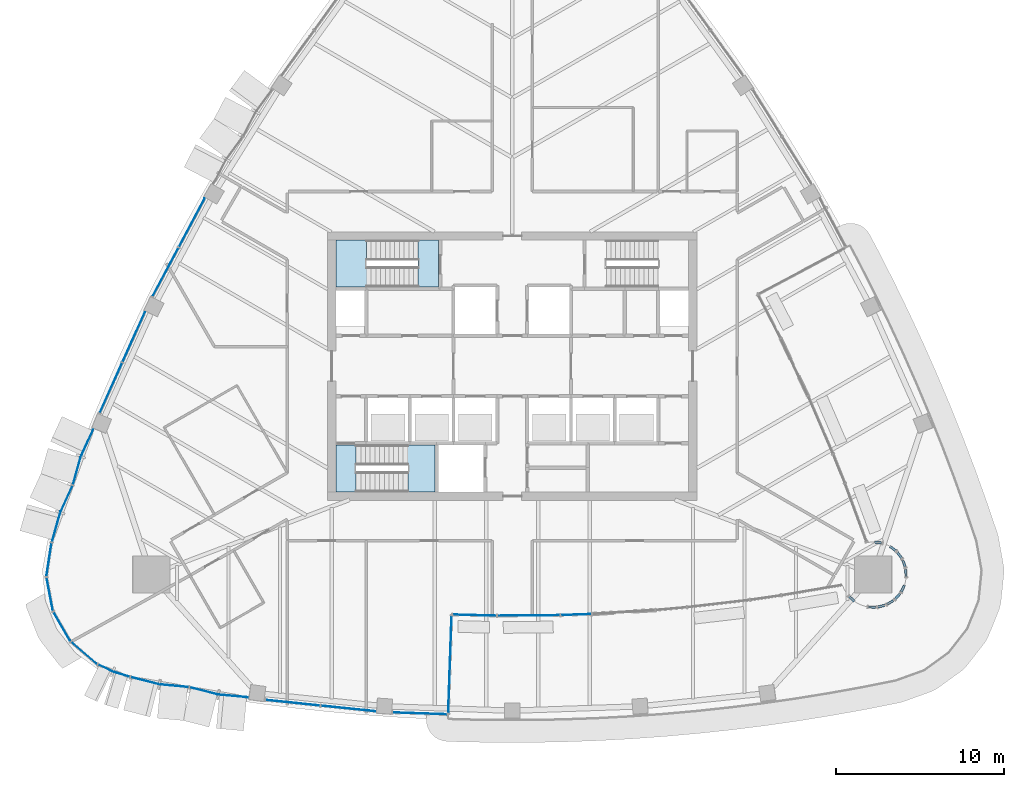
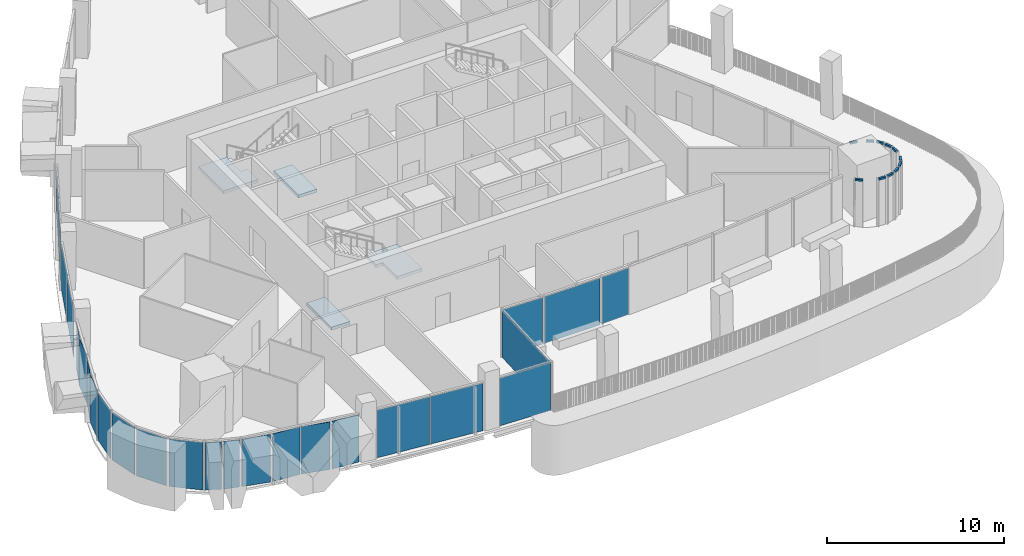
# One storey, part 9 of 21: 25 plates, 11 members, 4 slabs, 28 elements without a shape of their own.
"""IFC4 building model written with IfcOpenShell, lengths in metres."""

from ifc_helpers import new_model, si_unit, direction, frame, origin, origin_2d, place, context, subcontext, project, spatial, polyline, rectangle, outline, extrude, material, layer, layer_set, material_profile, profile_set, type_object, element, aggregate, save


model = new_model("IFC4")

# Units and contexts
model_context = context("Model", 3, precision=1e-05, world=origin(), true_north=direction((0.0, 1.0)))
body_context = subcontext(model_context, "Body", "Model", "MODEL_VIEW")
ifc_project = project(units=[si_unit("LENGTHUNIT", "METRE"), si_unit("AREAUNIT", "SQUARE_METRE"), si_unit("VOLUMEUNIT", "CUBIC_METRE"), si_unit("PLANEANGLEUNIT", "RADIAN"), si_unit("MASSUNIT", "GRAM", prefix="KILO")], contexts=[model_context])

# Site, building, storey
site_placement = place(None, origin())
site = spatial("IfcSite", under=ifc_project, at=site_placement, CompositionType="ELEMENT")
building_placement = place(site_placement, origin())
building = spatial("IfcBuilding", under=site, at=building_placement, Name="Sierra Prisma Convention Tower", CompositionType="ELEMENT")
storey_placement = place(building_placement, frame((0.0, 0.0, 259.0)))
storey = spatial("IfcBuildingStorey", under=building, at=storey_placement, Name="L58", CompositionType="ELEMENT", Elevation=259.0)

# Curtain wall, member
ifc_material_1 = material(Name="Aluminium and glass curtain wall", Category="aluminium")
ifc_layer_1 = layer(ifc_material_1, 0.179931640625)
ifc_layer_set_1 = layer_set([ifc_layer_1], Name="CW-6 Terrace recess curtain wall")
curtain_wall_type_1 = type_object("IfcCurtainWallType", Name="CW-6 Terrace recess curtain wall", PredefinedType="NOTDEFINED", material=ifc_layer_set_1)
curtain_wall_1_placement = place(storey_placement, origin())
curtain_wall_1 = element("IfcCurtainWall", 1, at=curtain_wall_1_placement, inside=storey, type_object=curtain_wall_type_1, Name="CW-6 R11 L58", PredefinedType="NOTDEFINED")
ifc_material_2 = material(Name="Aluminium 6063-T6 bronze anodised", Category="aluminium")
ifc_material_profile = material_profile(ifc_material_2, rectangle(XDim=0.139892578125, YDim=0.1201171875, at=origin_2d()), Name="ALU TRANSOM 120x140")
ifc_profile_set = profile_set([ifc_material_profile], Name="Aluminium 6063-T6 bronze anodised")
member_type = type_object("IfcMemberType", Name="CW transom bronze", PredefinedType="USERDEFINED", material=ifc_profile_set)
member_1_placement = place(storey_placement, frame((20.052001953125, -13.70751953125, 3.280029296875), z_axis=(0.740855729904, -0.671664192487, 0.0), x_axis=(0.671664192487, 0.740855729904, 0.0)))
member_1 = element("IfcMember", 2, at=member_1_placement, type_object=member_type, Name="CW-6 transom R11.1", ObjectType="TRANSOM", PredefinedType="USERDEFINED", context=body_context, shape_type="SweptSolid", body=[
    extrude(rectangle(XDim=0.139892578125, YDim=0.1201171875, at=origin_2d()), origin(), (0.0, 0.0, 1.0), 0.43408203125),
])
aggregate(curtain_wall_1, [member_1])

curtain_wall_2_placement = place(storey_placement, origin())
curtain_wall_2 = element("IfcCurtainWall", 3, at=curtain_wall_2_placement, inside=storey, type_object=curtain_wall_type_1, Name="CW-6 R14 L58", PredefinedType="NOTDEFINED")
member_2_placement = place(storey_placement, frame((21.2001953125, -14.34130859375, 3.280029296875), z_axis=(0.998800969723, -0.048955315136, 0.0), x_axis=(0.048955315136, 0.998800969723, 0.0)))
member_2 = element("IfcMember", 4, at=member_2_placement, type_object=member_type, Name="CW-6 transom R14.1", ObjectType="TRANSOM", PredefinedType="USERDEFINED", context=body_context, shape_type="SweptSolid", body=[
    extrude(rectangle(XDim=0.139892578125, YDim=0.1201171875, at=origin_2d()), origin(), (0.0, 0.0, 1.0), 0.433837890625),
])
aggregate(curtain_wall_2, [member_2])

curtain_wall_3_placement = place(storey_placement, origin())
curtain_wall_3 = element("IfcCurtainWall", 5, at=curtain_wall_3_placement, inside=storey, type_object=curtain_wall_type_1, Name="CW-6 R15 L58", PredefinedType="NOTDEFINED")
member_3_placement = place(storey_placement, frame((21.771484375, -14.34912109375, 3.280029296875), z_axis=(0.970009967195, 0.243065142592, 0.0), x_axis=(-0.243065142592, 0.970009967195, 0.0)))
member_3 = element("IfcMember", 6, at=member_3_placement, type_object=member_type, Name="CW-6 transom R15.1", ObjectType="TRANSOM", PredefinedType="USERDEFINED", context=body_context, shape_type="SweptSolid", body=[
    extrude(rectangle(XDim=0.139892578125, YDim=0.1201171875, at=origin_2d()), origin(), (0.0, 0.0, 1.0), 0.433837890625),
])
aggregate(curtain_wall_3, [member_3])

curtain_wall_4_placement = place(storey_placement, origin())
curtain_wall_4 = element("IfcCurtainWall", 7, at=curtain_wall_4_placement, inside=storey, type_object=curtain_wall_type_1, Name="CW-6 R16 L58", PredefinedType="NOTDEFINED")
member_4_placement = place(storey_placement, frame((22.3203125, -14.190673828125, 3.280029296875), z_axis=(0.857592214072, 0.514330238623, 0.0), x_axis=(-0.514330238623, 0.857592214072, 0.0)))
member_4 = element("IfcMember", 8, at=member_4_placement, type_object=member_type, Name="CW-6 transom R16.1", ObjectType="TRANSOM", PredefinedType="USERDEFINED", context=body_context, shape_type="SweptSolid", body=[
    extrude(rectangle(XDim=0.139892578125, YDim=0.1201171875, at=origin_2d()), origin(), (0.0, 0.0, 1.0), 0.433837890625),
])
aggregate(curtain_wall_4, [member_4])

curtain_wall_5_placement = place(storey_placement, origin())
curtain_wall_5 = element("IfcCurtainWall", 9, at=curtain_wall_5_placement, inside=storey, type_object=curtain_wall_type_1, Name="CW-6 R17 L58", PredefinedType="NOTDEFINED")
member_5_placement = place(storey_placement, frame((22.799560546875, -13.879638671875, 3.280029296875), z_axis=(0.671355261615, 0.741135691154, 0.0), x_axis=(-0.741135691154, 0.671355261615, 0.0)))
member_5 = element("IfcMember", 10, at=member_5_placement, type_object=member_type, Name="CW-6 transom R17.1", ObjectType="TRANSOM", PredefinedType="USERDEFINED", context=body_context, shape_type="SweptSolid", body=[
    extrude(rectangle(XDim=0.139892578125, YDim=0.1201171875, at=origin_2d()), origin(), (0.0, 0.0, 1.0), 0.433837890625),
])
aggregate(curtain_wall_5, [member_5])

curtain_wall_6_placement = place(storey_placement, origin())
curtain_wall_6 = element("IfcCurtainWall", 11, at=curtain_wall_6_placement, inside=storey, type_object=curtain_wall_type_1, Name="CW-6 R18 L58", PredefinedType="NOTDEFINED")
member_6_placement = place(storey_placement, frame((23.167724609375, -13.443115234375, 3.280029296875), z_axis=(0.427530087654, 0.904001119552, 0.0), x_axis=(-0.904001119552, 0.427530087654, 0.0)))
member_6 = element("IfcMember", 12, at=member_6_placement, type_object=member_type, Name="CW-6 transom R18.1", ObjectType="TRANSOM", PredefinedType="USERDEFINED", context=body_context, shape_type="SweptSolid", body=[
    extrude(rectangle(XDim=0.139892578125, YDim=0.1201171875, at=origin_2d()), origin(), (0.0, 0.0, 1.0), 0.43408203125),
])
aggregate(curtain_wall_6, [member_6])

curtain_wall_7_placement = place(storey_placement, origin())
curtain_wall_7 = element("IfcCurtainWall", 13, at=curtain_wall_7_placement, inside=storey, type_object=curtain_wall_type_1, Name="CW-6 R20 L58", PredefinedType="NOTDEFINED")
member_7_placement = place(storey_placement, frame((23.45458984375, -12.541748046875, 3.280029296875), z_axis=(-0.048927816213, 0.998802317178, 0.0), x_axis=(-0.998802317178, -0.048927816213, 0.0)))
member_7 = element("IfcMember", 14, at=member_7_placement, type_object=member_type, Name="CW-6 transom R20.1", ObjectType="TRANSOM", PredefinedType="USERDEFINED", context=body_context, shape_type="SweptSolid", body=[
    extrude(rectangle(XDim=0.139892578125, YDim=0.1201171875, at=origin_2d()), origin(), (0.0, 0.0, 1.0), 0.43408203125),
])
aggregate(curtain_wall_7, [member_7])

curtain_wall_8_placement = place(storey_placement, origin())
curtain_wall_8 = element("IfcCurtainWall", 15, at=curtain_wall_8_placement, inside=storey, type_object=curtain_wall_type_1, Name="CW-6 R21 L58", PredefinedType="NOTDEFINED")
member_8_placement = place(storey_placement, frame((23.40625, -11.972412109375, 3.280029296875), z_axis=(-0.337084921302, 0.941474245973, 0.0), x_axis=(-0.941474245973, -0.337084921302, 0.0)))
member_8 = element("IfcMember", 16, at=member_8_placement, type_object=member_type, Name="CW-6 transom R21.1", ObjectType="TRANSOM", PredefinedType="USERDEFINED", context=body_context, shape_type="SweptSolid", body=[
    extrude(rectangle(XDim=0.139892578125, YDim=0.1201171875, at=origin_2d()), origin(), (0.0, 0.0, 1.0), 0.433837890625),
])
aggregate(curtain_wall_8, [member_8])

curtain_wall_9_placement = place(storey_placement, origin())
curtain_wall_9 = element("IfcCurtainWall", 17, at=curtain_wall_9_placement, inside=storey, type_object=curtain_wall_type_1, Name="CW-6 R22 L58", PredefinedType="NOTDEFINED")
member_9_placement = place(storey_placement, frame((23.19482421875, -11.441650390625, 3.280029296875), z_axis=(-0.595940584059, 0.803028530173, 0.0), x_axis=(-0.803028530173, -0.595940584059, 0.0)))
member_9 = element("IfcMember", 18, at=member_9_placement, type_object=member_type, Name="CW-6 transom R22.1", ObjectType="TRANSOM", PredefinedType="USERDEFINED", context=body_context, shape_type="SweptSolid", body=[
    extrude(rectangle(XDim=0.139892578125, YDim=0.1201171875, at=origin_2d()), origin(), (0.0, 0.0, 1.0), 0.433837890625),
])
aggregate(curtain_wall_9, [member_9])

curtain_wall_10_placement = place(storey_placement, origin())
curtain_wall_10 = element("IfcCurtainWall", 19, at=curtain_wall_10_placement, inside=storey, type_object=curtain_wall_type_1, Name="CW-6 R23 L58", PredefinedType="NOTDEFINED")
member_10_placement = place(storey_placement, frame((22.83837890625, -10.995361328125, 3.280029296875), z_axis=(-0.803028530173, 0.595940584059, 0.0), x_axis=(-0.595940584059, -0.803028530173, 0.0)))
member_10 = element("IfcMember", 20, at=member_10_placement, type_object=member_type, Name="CW-6 transom R23.1", ObjectType="TRANSOM", PredefinedType="USERDEFINED", context=body_context, shape_type="SweptSolid", body=[
    extrude(rectangle(XDim=0.139892578125, YDim=0.1201171875, at=origin_2d()), origin(), (0.0, 0.0, 1.0), 0.433837890625),
])
aggregate(curtain_wall_10, [member_10])

curtain_wall_11_placement = place(storey_placement, origin())
curtain_wall_11 = element("IfcCurtainWall", 21, at=curtain_wall_11_placement, inside=storey, type_object=curtain_wall_type_1, Name="CW-6 R25 L58", PredefinedType="NOTDEFINED")
member_11_placement = place(storey_placement, frame((22.01025390625, -10.5380859375, 3.280029296875), z_axis=(-0.989239687059, 0.146303935515, 0.0), x_axis=(-0.146303935515, -0.989239687059, 0.0)))
member_11 = element("IfcMember", 22, at=member_11_placement, type_object=member_type, Name="CW-6 transom R25.1", ObjectType="TRANSOM", PredefinedType="USERDEFINED", context=body_context, shape_type="SweptSolid", body=[
    extrude(rectangle(XDim=0.139892578125, YDim=0.1201171875, at=origin_2d()), origin(), (0.0, 0.0, 1.0), 0.433837890625),
])
aggregate(curtain_wall_11, [member_11])

# Curtain wall, plates
ifc_material_3 = material(Name="Aluminium and glass curtain wall", Category="aluminium")
ifc_layer_2 = layer(ifc_material_3, 0.179931640625)
ifc_layer_set_2 = layer_set([ifc_layer_2], Name="CW-1 Plain shaft curtain wall")
curtain_wall_type_2 = type_object("IfcCurtainWallType", Name="CW-1 Plain shaft curtain wall", PredefinedType="NOTDEFINED", material=ifc_layer_set_2)
curtain_wall_12_placement = place(storey_placement, origin())
curtain_wall_12 = element("IfcCurtainWall", 23, at=curtain_wall_12_placement, inside=storey, type_object=curtain_wall_type_2, Name="CW-1 NW4 L58", PredefinedType="NOTDEFINED")
ifc_material_4 = material(Name="Tinted glass bronze-grey IGU", Category="glass")
ifc_layer_3 = layer(ifc_material_4, 0.028076171875)
ifc_layer_set_3 = layer_set([ifc_layer_3], Name="CW-1 glass panel")
plate_type_1 = type_object("IfcPlateType", Name="CW-1 glass panel", PredefinedType="CURTAIN_PANEL", material=ifc_layer_set_3)
plate_1_placement = place(storey_placement, frame((-19.087646484375, 8.537841796875, 0.0), z_axis=(0.0, 0.0, 1.0), x_axis=(-0.470062969616, -0.882632882118, 0.0)))
plate_1 = element("IfcPlate", 24, at=plate_1_placement, type_object=plate_type_1, Name="CW-1 panel NW4.1", PredefinedType="CURTAIN_PANEL", context=body_context, shape_type="SweptSolid", body=[
    extrude(rectangle(XDim=3.26220703125, YDim=0.028076171875, at=origin_2d()), origin(), (0.0, 0.0, 1.0), 3.280029296875),
])
plate_2_placement = place(storey_placement, frame((-20.654052734375, 5.5966796875, 0.0), z_axis=(0.0, 0.0, 1.0), x_axis=(-0.470062969616, -0.882632882118, 0.0)))
plate_2 = element("IfcPlate", 25, at=plate_2_placement, type_object=plate_type_1, Name="CW-1 panel NW4.2", PredefinedType="CURTAIN_PANEL", context=body_context, shape_type="SweptSolid", body=[
    extrude(rectangle(XDim=3.26220703125, YDim=0.028076171875, at=origin_2d()), origin(), (0.0, 0.0, 1.0), 3.280029296875),
])
aggregate(curtain_wall_12, [plate_1, plate_2])

curtain_wall_13_placement = place(storey_placement, origin())
curtain_wall_13 = element("IfcCurtainWall", 26, at=curtain_wall_13_placement, inside=storey, type_object=curtain_wall_type_2, Name="CW-1 NW5 L58", PredefinedType="NOTDEFINED")
plate_3_placement = place(storey_placement, frame((-22.546630859375, 1.73095703125, 0.0), z_axis=(0.0, 0.0, 1.0), x_axis=(-0.408571852237, -0.91272615913, 0.0)))
plate_3 = element("IfcPlate", 27, at=plate_3_placement, type_object=plate_type_1, Name="CW-1 panel NW5.1", PredefinedType="CURTAIN_PANEL", context=body_context, shape_type="SweptSolid", body=[
    extrude(rectangle(XDim=3.246337890625, YDim=0.028076171875, at=origin_2d()), origin(), (0.0, 0.0, 1.0), 3.280029296875),
])
plate_4_placement = place(storey_placement, frame((-23.901611328125, -1.2958984375, 0.0), z_axis=(0.0, 0.0, 1.0), x_axis=(-0.408571852237, -0.91272615913, 0.0)))
plate_4 = element("IfcPlate", 28, at=plate_4_placement, type_object=plate_type_1, Name="CW-1 panel NW5.2", PredefinedType="CURTAIN_PANEL", context=body_context, shape_type="SweptSolid", body=[
    extrude(rectangle(XDim=3.246337890625, YDim=0.028076171875, at=origin_2d()), origin(), (0.0, 0.0, 1.0), 3.280029296875),
])
aggregate(curtain_wall_13, [plate_3, plate_4])

# Curtain wall, plate
curtain_wall_14_placement = place(storey_placement, origin())
curtain_wall_14 = element("IfcCurtainWall", 29, at=curtain_wall_14_placement, inside=storey, type_object=curtain_wall_type_2, Name="CW-1 SW1 L58", PredefinedType="NOTDEFINED")
plate_5_placement = place(storey_placement, frame((-27.590576171875, -11.502197265625, 0.0), z_axis=(0.0, 0.0, 1.0), x_axis=(-0.149263430605, -0.988797465755, 0.0)))
plate_5 = element("IfcPlate", 30, at=plate_5_placement, type_object=plate_type_1, Name="CW-1 panel SW1.1", PredefinedType="CURTAIN_PANEL", context=body_context, shape_type="SweptSolid", body=[
    extrude(rectangle(XDim=1.94970703125, YDim=0.028076171875, at=origin_2d()), origin(), (0.0, 0.0, 1.0), 3.280029296875),
])
aggregate(curtain_wall_14, [plate_5])

curtain_wall_15_placement = place(storey_placement, origin())
curtain_wall_15 = element("IfcCurtainWall", 31, at=curtain_wall_15_placement, inside=storey, type_object=curtain_wall_type_2, Name="CW-1 SW2 L58", PredefinedType="NOTDEFINED")
plate_6_placement = place(storey_placement, frame((-27.55224609375, -13.56201171875, 0.0), z_axis=(0.0, 0.0, 1.0), x_axis=(0.185801722483, -0.982587258172, 0.0)))
plate_6 = element("IfcPlate", 32, at=plate_6_placement, type_object=plate_type_1, Name="CW-1 panel SW2.1", PredefinedType="CURTAIN_PANEL", context=body_context, shape_type="SweptSolid", body=[
    extrude(rectangle(XDim=1.94970703125, YDim=0.028076171875, at=origin_2d()), origin(), (0.0, 0.0, 1.0), 3.280029296875),
])
aggregate(curtain_wall_15, [plate_6])

curtain_wall_16_placement = place(storey_placement, origin())
curtain_wall_16 = element("IfcCurtainWall", 33, at=curtain_wall_16_placement, inside=storey, type_object=curtain_wall_type_2, Name="CW-1 SW3 L58", PredefinedType="NOTDEFINED")
plate_7_placement = place(storey_placement, frame((-26.835693359375, -15.49365234375, 0.0), z_axis=(0.0, 0.0, 1.0), x_axis=(0.5, -0.866025403784, 0.0)))
plate_7 = element("IfcPlate", 34, at=plate_7_placement, type_object=plate_type_1, Name="CW-1 panel SW3.1", PredefinedType="CURTAIN_PANEL", context=body_context, shape_type="SweptSolid", body=[
    extrude(rectangle(XDim=1.94970703125, YDim=0.028076171875, at=origin_2d()), origin(), (0.0, 0.0, 1.0), 3.280029296875),
])
aggregate(curtain_wall_16, [plate_7])

curtain_wall_17_placement = place(storey_placement, origin())
curtain_wall_17 = element("IfcCurtainWall", 35, at=curtain_wall_17_placement, inside=storey, type_object=curtain_wall_type_2, Name="CW-1 SW4 L58", PredefinedType="NOTDEFINED")
plate_8_placement = place(storey_placement, frame((-25.521240234375, -17.080078125, 0.0), z_axis=(0.0, 0.0, 1.0), x_axis=(0.75804466577, -0.652202640824, 0.0)))
plate_8 = element("IfcPlate", 36, at=plate_8_placement, type_object=plate_type_1, Name="CW-1 panel SW4.1", PredefinedType="CURTAIN_PANEL", context=body_context, shape_type="SweptSolid", body=[
    extrude(rectangle(XDim=1.94970703125, YDim=0.028076171875, at=origin_2d()), origin(), (0.0, 0.0, 1.0), 3.280029296875),
])
aggregate(curtain_wall_17, [plate_8])

# Curtain wall, plates
curtain_wall_18_placement = place(storey_placement, origin())
curtain_wall_18 = element("IfcCurtainWall", 37, at=curtain_wall_18_placement, inside=storey, type_object=curtain_wall_type_2, Name="CW-1 S2 L58", PredefinedType="NOTDEFINED")
plate_9_placement = place(storey_placement, frame((-13.0732421875, -20.05126953125, 0.0), z_axis=(0.0, 0.0, 1.0), x_axis=(0.994729966623, -0.102529476256, 0.0)))
plate_9 = element("IfcPlate", 38, at=plate_9_placement, type_object=plate_type_1, Name="CW-1 panel S2.1", PredefinedType="CURTAIN_PANEL", context=body_context, shape_type="SweptSolid", body=[
    extrude(rectangle(XDim=3.246337890625, YDim=0.028076171875, at=origin_2d()), origin(), (0.0, 0.0, 1.0), 3.280029296875),
])
plate_10_placement = place(storey_placement, frame((-9.774169921875, -20.391357421875, 0.0), z_axis=(0.0, 0.0, 1.0), x_axis=(0.994729966623, -0.102529476256, 0.0)))
plate_10 = element("IfcPlate", 39, at=plate_10_placement, type_object=plate_type_1, Name="CW-1 panel S2.2", PredefinedType="CURTAIN_PANEL", context=body_context, shape_type="SweptSolid", body=[
    extrude(rectangle(XDim=3.246337890625, YDim=0.028076171875, at=origin_2d()), origin(), (0.0, 0.0, 1.0), 3.280029296875),
])
aggregate(curtain_wall_18, [plate_9, plate_10])

# Curtain wall, plate
curtain_wall_19_placement = place(storey_placement, origin())
curtain_wall_19 = element("IfcCurtainWall", 40, at=curtain_wall_19_placement, inside=storey, type_object=curtain_wall_type_2, Name="CW-1 S3 L58", PredefinedType="NOTDEFINED")
plate_11_placement = place(storey_placement, frame((-5.497802734375, -20.6845703125, 0.0), z_axis=(0.0, 0.0, 1.0), x_axis=(0.999413982938, -0.034229967994, 0.0)))
plate_11 = element("IfcPlate", 41, at=plate_11_placement, type_object=plate_type_1, Name="CW-1 panel S3.1", PredefinedType="CURTAIN_PANEL", context=body_context, shape_type="SweptSolid", body=[
    extrude(rectangle(XDim=3.227294921875, YDim=0.028076171875, at=origin_2d()), origin(), (0.0, 0.0, 1.0), 3.280029296875),
])
aggregate(curtain_wall_19, [plate_11])

# Curtain wall, plates
ifc_material_5 = material(Name="Aluminium and glass curtain wall", Category="aluminium")
ifc_layer_4 = layer(ifc_material_5, 0.179931640625)
ifc_layer_set_4 = layer_set([ifc_layer_4], Name="CW-2 Faceted crystal curtain wall")
curtain_wall_type_3 = type_object("IfcCurtainWallType", Name="CW-2 Faceted crystal curtain wall", PredefinedType="NOTDEFINED", material=ifc_layer_set_4)
curtain_wall_20_placement = place(storey_placement, origin())
curtain_wall_20 = element("IfcCurtainWall", 42, at=curtain_wall_20_placement, inside=storey, type_object=curtain_wall_type_3, Name="CW-2 NW6 L58", PredefinedType="NOTDEFINED")
ifc_material_6 = material(Name="Tinted glass bronze-grey IGU", Category="glass")
ifc_layer_5 = layer(ifc_material_6, 0.028076171875)
ifc_layer_set_5 = layer_set([ifc_layer_5], Name="CW-2 crystal pane")
plate_type_2 = type_object("IfcPlateType", Name="CW-2 crystal pane", PredefinedType="CURTAIN_PANEL", material=ifc_layer_set_5)
plate_12_placement = place(storey_placement, frame((-24.974609375, -3.7802734375, 0.0), z_axis=(-0.908564053942, 0.41774556836, 0.0), x_axis=(-0.41774556836, -0.908564053942, 0.0)))
plate_12 = element("IfcPlate", 43, at=plate_12_placement, type_object=plate_type_2, Name="CW-2 pane NW6.1.1", PredefinedType="CURTAIN_PANEL", context=body_context, shape_type="SweptSolid", body=[
    extrude(outline(polyline([(0.0, 0.0), (1.6872327027727887, 0.0), (1.6872327027727887, 3.280029296875), (0.0, 3.280029296875), (0.0, 0.0)])), origin(), (0.0, 0.0, -1.0), 0.028076171875),
])
plate_13_placement = place(storey_placement, frame((-26.180419921875, -7.05908203125, 0.0), z_axis=(-0.962732220461, 0.270456413654, 0.0), x_axis=(0.270456413654, 0.962732220461, 0.0)))
plate_13 = element("IfcPlate", 44, at=plate_13_placement, type_object=plate_type_2, Name="CW-2 pane NW6.1.2", PredefinedType="CURTAIN_PANEL", context=body_context, shape_type="SweptSolid", body=[
    extrude(outline(polyline([(0.0, 0.0), (1.6871436767200063, 0.0), (1.6871436767200063, -3.280029296875), (0.0, -3.280029296875), (0.0, 0.0)])), origin(), (0.0, 0.0, -1.0), 0.028076171875),
])
plate_14_placement = place(storey_placement, frame((-26.20458984375, -7.124755859375, 0.0), z_axis=(-0.908538797369, 0.417800495063, 0.0), x_axis=(-0.417800495063, -0.908538797369, 0.0)))
plate_14 = element("IfcPlate", 45, at=plate_14_placement, type_object=plate_type_2, Name="CW-2 pane NW6.2.1", PredefinedType="CURTAIN_PANEL", context=body_context, shape_type="SweptSolid", body=[
    extrude(outline(polyline([(0.0, 0.0), (1.6870108884596817, 0.0), (1.6870108884596817, 3.280029296875), (0.0, 3.280029296875), (0.0, 0.0)])), origin(), (0.0, 0.0, -1.0), 0.028076171875),
])
plate_15_placement = place(storey_placement, frame((-27.410400390625, -10.4033203125, 0.0), z_axis=(-0.962721633451, 0.270494096951, 0.0), x_axis=(0.270494096951, 0.962721633451, 0.0)))
plate_15 = element("IfcPlate", 46, at=plate_15_placement, type_object=plate_type_2, Name="CW-2 pane NW6.2.2", PredefinedType="CURTAIN_PANEL", context=body_context, shape_type="SweptSolid", body=[
    extrude(outline(polyline([(0.0, 0.0), (1.686908635966265, 0.0), (1.686908635966265, -3.280029296875), (0.0, -3.280029296875), (0.0, 0.0)])), origin(), (0.0, 0.0, -1.0), 0.028076171875),
])
aggregate(curtain_wall_20, [plate_12, plate_13, plate_14, plate_15])

curtain_wall_21_placement = place(storey_placement, origin())
curtain_wall_21 = element("IfcCurtainWall", 47, at=curtain_wall_21_placement, inside=storey, type_object=curtain_wall_type_3, Name="CW-2 SW5 L58", PredefinedType="NOTDEFINED")
plate_16_placement = place(storey_placement, frame((-24.6640625, -17.787109375, 0.0), z_axis=(-0.437021434282, -0.899451091487, 0.0), x_axis=(0.899451091487, -0.437021434282, 0.0)))
plate_16 = element("IfcPlate", 48, at=plate_16_placement, type_object=plate_type_2, Name="CW-2 pane SW5.1.1", PredefinedType="CURTAIN_PANEL", context=body_context, shape_type="SweptSolid", body=[
    extrude(outline(polyline([(0.0, 0.0), (0.9128288682347024, 0.0), (0.9128288682347024, 3.280029296875), (0.0, 3.280029296875), (0.0, 0.0)])), origin(), (0.0, 0.0, -1.0), 0.028076171875),
])
plate_17_placement = place(storey_placement, frame((-22.848876953125, -18.4990234375, 0.0), z_axis=(-0.29092751937, -0.956745095871, 0.0), x_axis=(-0.956745095871, 0.29092751937, 0.0)))
plate_17 = element("IfcPlate", 49, at=plate_17_placement, type_object=plate_type_2, Name="CW-2 pane SW5.1.2", PredefinedType="CURTAIN_PANEL", context=body_context, shape_type="SweptSolid", body=[
    extrude(outline(polyline([(0.0, 0.0), (0.9130280991457558, 0.0), (0.9130280991457558, -3.280029296875), (0.0, -3.280029296875), (0.0, 0.0)])), origin(), (0.0, 0.0, -1.0), 0.028076171875),
])
aggregate(curtain_wall_21, [plate_16, plate_17])

curtain_wall_22_placement = place(storey_placement, origin())
curtain_wall_22 = element("IfcCurtainWall", 50, at=curtain_wall_22_placement, inside=storey, type_object=curtain_wall_type_3, Name="CW-2 S1 L58", PredefinedType="NOTDEFINED")
plate_18_placement = place(storey_placement, frame((-22.71484375, -18.536376953125, 0.0), z_axis=(-0.247163561143, -0.968973773661, 0.0), x_axis=(0.968973773661, -0.247163561143, 0.0)))
plate_18 = element("IfcPlate", 51, at=plate_18_placement, type_object=plate_type_2, Name="CW-2 pane S1.1.1", PredefinedType="CURTAIN_PANEL", context=body_context, shape_type="SweptSolid", body=[
    extrude(outline(polyline([(0.0, 0.0), (1.687110290739072, 0.0), (1.687110290739072, 3.280029296875001), (0.0, 3.280029296875001), (0.0, 0.0)])), origin(), (0.0, 0.0, -1.0), 0.028076171875),
])
plate_19_placement = place(storey_placement, frame((-19.2724609375, -19.131591796875, 0.0), z_axis=(-0.092610023643, -0.995702457324, 0.0), x_axis=(-0.995702457324, 0.092610023643, 0.0)))
plate_19 = element("IfcPlate", 52, at=plate_19_placement, type_object=plate_type_2, Name="CW-2 pane S1.1.2", PredefinedType="CURTAIN_PANEL", context=body_context, shape_type="SweptSolid", body=[
    extrude(outline(polyline([(0.0, 0.0), (1.687182378900694, 0.0), (1.687182378900694, -3.280029296875), (0.0, -3.280029296875), (0.0, 0.0)])), origin(), (0.0, 0.0, -1.0), 0.028076171875),
])
plate_20_placement = place(storey_placement, frame((-19.20361328125, -19.143310546875, 0.0), z_axis=(-0.247163561143, -0.968973773661, 0.0), x_axis=(0.968973773661, -0.247163561143, 0.0)))
plate_20 = element("IfcPlate", 53, at=plate_20_placement, type_object=plate_type_2, Name="CW-2 pane S1.2.1", PredefinedType="CURTAIN_PANEL", context=body_context, shape_type="SweptSolid", body=[
    extrude(outline(polyline([(0.0, 0.0), (1.687110290739072, 0.0), (1.687110290739072, 3.280029296875001), (0.0, 3.280029296875001), (0.0, 0.0)])), origin(), (0.0, 0.0, -1.0), 0.028076171875),
])
plate_21_placement = place(storey_placement, frame((-15.76123046875, -19.738525390625, 0.0), z_axis=(-0.092479883632, -0.995714553034, 0.0), x_axis=(-0.995714553034, 0.092479883632, 0.0)))
plate_21 = element("IfcPlate", 54, at=plate_21_placement, type_object=plate_type_2, Name="CW-2 pane S1.2.2", PredefinedType="CURTAIN_PANEL", context=body_context, shape_type="SweptSolid", body=[
    extrude(outline(polyline([(0.0, 0.0), (1.6869166920199654, 0.0), (1.6869166920199654, -3.280029296875), (0.0, -3.280029296875), (0.0, 0.0)])), origin(), (0.0, 0.0, -1.0), 0.028076171875),
])
aggregate(curtain_wall_22, [plate_18, plate_19, plate_20, plate_21])

# Curtain wall, plate
curtain_wall_23_placement = place(storey_placement, origin())
curtain_wall_23 = element("IfcCurtainWall", 55, at=curtain_wall_23_placement, inside=storey, type_object=curtain_wall_type_1, Name="CW-6 R1 L58", PredefinedType="NOTDEFINED")
ifc_material_7 = material(Name="Tinted glass bronze-grey IGU", Category="glass")
ifc_layer_6 = layer(ifc_material_7, 0.028076171875)
ifc_layer_set_6 = layer_set([ifc_layer_6], Name="CW-6 glass panel")
plate_type_3 = type_object("IfcPlateType", Name="CW-6 glass panel", PredefinedType="CURTAIN_PANEL", material=ifc_layer_set_6)
plate_22_placement = place(storey_placement, frame((-2.27783203125, -14.832763671875, 0.0), z_axis=(0.0, 0.0, 1.0), x_axis=(0.99964106481, -0.026790698865, 0.0)))
plate_22 = element("IfcPlate", 56, at=plate_22_placement, type_object=plate_type_3, Name="CW-6 panel R1.1", PredefinedType="CURTAIN_PANEL", context=body_context, shape_type="SweptSolid", body=[
    extrude(rectangle(XDim=2.5283203125, YDim=0.028076171875, at=origin_2d()), origin(), (0.0, 0.0, 1.0), 3.219970703125),
])
aggregate(curtain_wall_23, [plate_22])

curtain_wall_24_placement = place(storey_placement, origin())
curtain_wall_24 = element("IfcCurtainWall", 57, at=curtain_wall_24_placement, inside=storey, type_object=curtain_wall_type_1, Name="CW-6 R2 L58", PredefinedType="NOTDEFINED")
plate_23_placement = place(storey_placement, frame((0.94384765625, -14.8515625, 0.0), z_axis=(0.0, 0.0, 1.0), x_axis=(0.999960116191, 0.008931182823, 0.0)))
plate_23 = element("IfcPlate", 58, at=plate_23_placement, type_object=plate_type_3, Name="CW-6 panel R2.1", PredefinedType="CURTAIN_PANEL", context=body_context, shape_type="SweptSolid", body=[
    extrude(rectangle(XDim=3.6357421875, YDim=0.028076171875, at=origin_2d()), origin(), (0.0, 0.0, 1.0), 3.219970703125),
])
aggregate(curtain_wall_24, [plate_23])

curtain_wall_25_placement = place(storey_placement, origin())
curtain_wall_25 = element("IfcCurtainWall", 59, at=curtain_wall_25_placement, inside=storey, type_object=curtain_wall_type_1, Name="CW-6 R3 L58", PredefinedType="NOTDEFINED")
plate_24_placement = place(storey_placement, frame((3.775146484375, -14.801025390625, 0.0), z_axis=(0.0, 0.0, 1.0), x_axis=(0.999361922687, 0.035717607474, 0.0)))
plate_24 = element("IfcPlate", 60, at=plate_24_placement, type_object=plate_type_3, Name="CW-6 panel R3.1", PredefinedType="CURTAIN_PANEL", context=body_context, shape_type="SweptSolid", body=[
    extrude(rectangle(XDim=1.748046875, YDim=0.028076171875, at=origin_2d()), origin(), (0.0, 0.0, 1.0), 3.219970703125),
])
aggregate(curtain_wall_25, [plate_24])

curtain_wall_26_placement = place(storey_placement, origin())
curtain_wall_26 = element("IfcCurtainWall", 61, at=curtain_wall_26_placement, inside=storey, type_object=curtain_wall_type_1, Name="CW-6 RT1 L58", PredefinedType="NOTDEFINED")
plate_25_placement = place(storey_placement, frame((-3.713134765625, -17.76953125, 0.0), z_axis=(0.0, 0.0, 1.0), x_axis=(0.034229967994, 0.999413982938, 0.0)))
plate_25 = element("IfcPlate", 62, at=plate_25_placement, type_object=plate_type_3, Name="CW-6 panel RT1.1", PredefinedType="CURTAIN_PANEL", context=body_context, shape_type="SweptSolid", body=[
    extrude(rectangle(XDim=5.808837890625, YDim=0.028076171875, at=origin_2d()), origin(), (0.0, 0.0, 1.0), 3.219970703125),
])
aggregate(curtain_wall_26, [plate_25])

# Stair, slab
ifc_material_8 = material(Name="Concrete C30/37", Category="concrete")
stair_type = type_object("IfcStairType", Name="Stair dog-leg 1200 RC", PredefinedType="HALF_TURN_STAIR", material=ifc_material_8)
stair_1_placement = place(storey_placement, origin())
stair_1 = element("IfcStair", 63, at=stair_1_placement, inside=storey, type_object=stair_type, Name="L58 S1", PredefinedType="HALF_TURN_STAIR")
ifc_material_9 = material(Name="Concrete C35/45", Category="concrete")
ifc_layer_7 = layer(ifc_material_9, 0.199951171875)
ifc_layer_set_7 = layer_set([ifc_layer_7], Name="Stair landing slab")
slab_type = type_object("IfcSlabType", Name="Stair landing slab", PredefinedType="LANDING", material=ifc_layer_set_7)
slab_1_placement = place(storey_placement, frame((0.0, 0.0, 1.800048828125)))
slab_1 = element("IfcSlab", 64, at=slab_1_placement, type_object=slab_type, Name="S1 landing 1", PredefinedType="LANDING", context=body_context, shape_type="SweptSolid", body=[
    extrude(outline(polyline([(-4.60009765625, -4.699951171875), (-4.60009765625, -7.5), (-6.221923828125, -7.5), (-6.221923828125, -5.89990234375), (-6.669921875, -5.89990234375), (-6.669921875, -4.699951171875), (-4.60009765625, -4.699951171875)])), origin(), (0.0, 0.0, 1.0), 0.199951171875),
])
aggregate(stair_1, [slab_1])

# Slab
slab_2_placement = place(storey_placement, frame((0.0, 0.0, -0.199951171875)))
element("IfcSlab", 65, at=slab_2_placement, inside=storey, type_object=slab_type, Name="S1 floor landing L58", PredefinedType="LANDING", context=body_context, shape_type="SweptSolid", body=[
    extrude(outline(polyline([(-10.5, -7.5), (-9.298095703125, -7.5), (-9.298095703125, -4.699951171875), (-10.5, -4.699951171875), (-10.5, -7.5)])), origin(), (0.0, 0.0, 1.0), 0.199951171875),
])

# Stair, slab
stair_2_placement = place(storey_placement, origin())
stair_2 = element("IfcStair", 66, at=stair_2_placement, inside=storey, type_object=stair_type, Name="L58 S3", PredefinedType="HALF_TURN_STAIR")
slab_3_placement = place(storey_placement, frame((0.0, 0.0, 1.800048828125)))
slab_3 = element("IfcSlab", 67, at=slab_3_placement, type_object=slab_type, Name="S3 landing 1", PredefinedType="LANDING", context=body_context, shape_type="SweptSolid", body=[
    extrude(outline(polyline([(-8.22998046875, 5.89990234375), (-8.22998046875, 4.699951171875), (-10.5, 4.699951171875), (-10.5, 7.5), (-8.677978515625, 7.5), (-8.677978515625, 5.89990234375), (-8.22998046875, 5.89990234375)])), origin(), (0.0, 0.0, 1.0), 0.199951171875),
])
aggregate(stair_2, [slab_3])

# Slab
slab_4_placement = place(storey_placement, frame((0.0, 0.0, -0.199951171875)))
element("IfcSlab", 68, at=slab_4_placement, inside=storey, type_object=slab_type, Name="S3 floor landing L58", PredefinedType="LANDING", context=body_context, shape_type="SweptSolid", body=[
    extrude(outline(polyline([(-4.39990234375, 7.5), (-5.60205078125, 7.5), (-5.60205078125, 4.699951171875), (-4.39990234375, 4.699951171875), (-4.39990234375, 7.5)])), origin(), (0.0, 0.0, 1.0), 0.199951171875),
])

save(model, "model.ifc")
